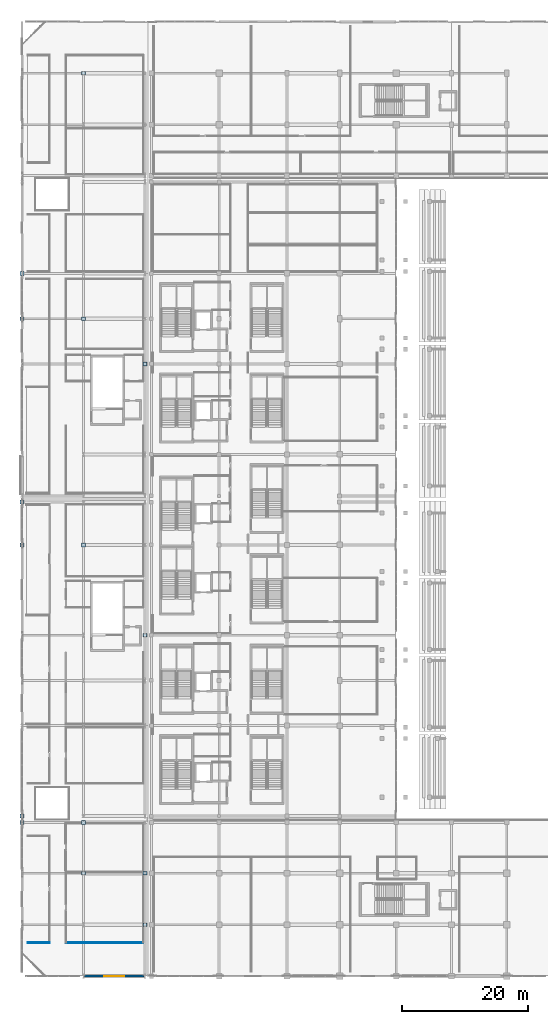
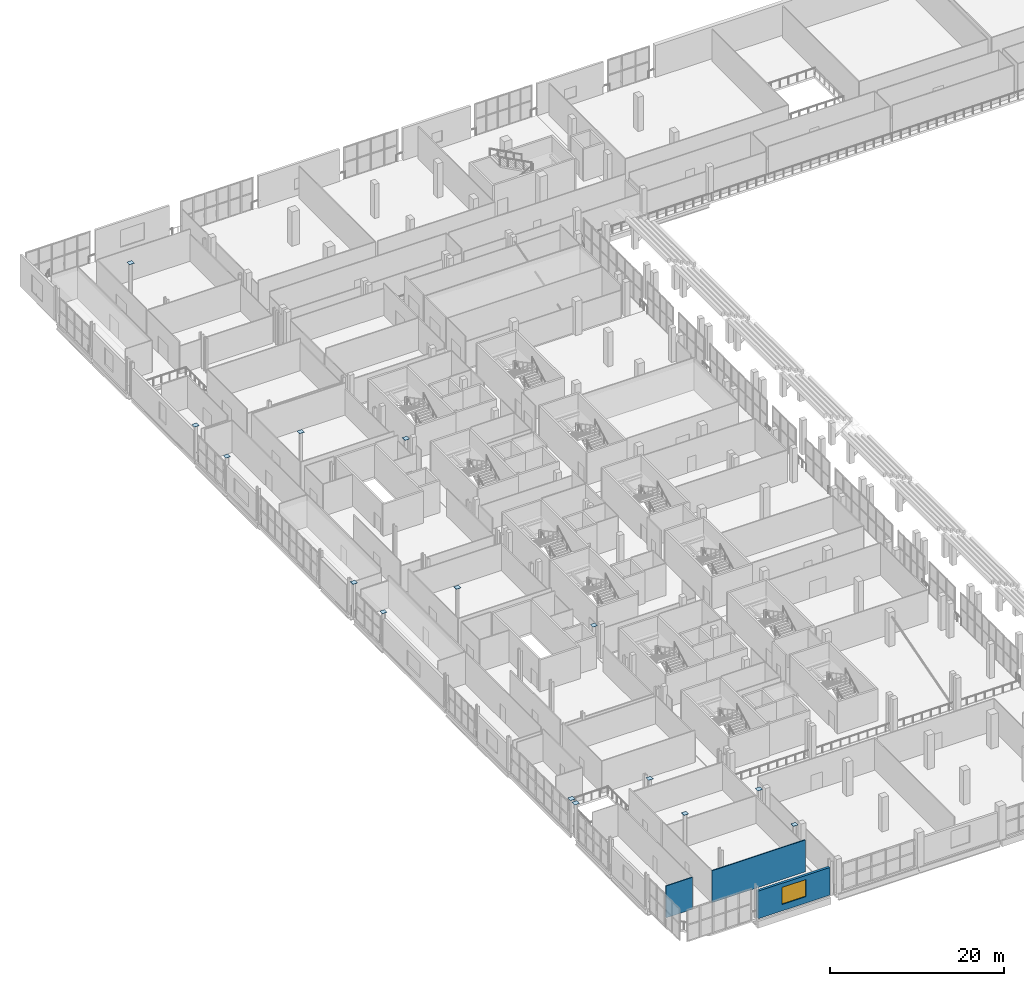
# One storey, part 86 of 142: 15 plates, 3 walls, 1 window, 1 opening.
"""IFC4 building model written with IfcOpenShell, lengths in metres."""

from ifc_helpers import new_model, si_unit, direction, frame, frame_2d, origin, origin_2d, place, context, subcontext, project, spatial, rectangle, extrude, material, layer, layer_set, type_object, element, fill, save


model = new_model("IFC4")

# Units and contexts
model_context = context("Model", 3, precision=1e-05, world=origin(), true_north=direction((0.0, 1.0)))
body_context = subcontext(model_context, "Body", "Model", "MODEL_VIEW")
ifc_project = project(units=[si_unit("LENGTHUNIT", "METRE"), si_unit("AREAUNIT", "SQUARE_METRE"), si_unit("VOLUMEUNIT", "CUBIC_METRE"), si_unit("PLANEANGLEUNIT", "RADIAN"), si_unit("MASSUNIT", "GRAM", prefix="KILO")], contexts=[model_context])

# Site, building, storey
site_placement = place(None, origin())
site = spatial("IfcSite", under=ifc_project, at=site_placement, CompositionType="ELEMENT")
building_placement = place(site_placement, origin())
building = spatial("IfcBuilding", under=site, at=building_placement, Name="Koshinbarg Plaza Stadium", CompositionType="ELEMENT")
storey_placement = place(building_placement, frame((0.0, 0.0, 10.199951171875)))
storey = spatial("IfcBuildingStorey", under=building, at=storey_placement, Name="L02", CompositionType="ELEMENT", Elevation=10.199951171875)

# Plates
ifc_material_1 = material(Name="Steel S355", Category="steel")
ifc_layer_1 = layer(ifc_material_1, 0.02001953125)
ifc_layer_set_1 = layer_set([ifc_layer_1], Name="Steel S355")
plate_type = type_object("IfcPlateType", Name="PLT-GUS-04", PredefinedType="USERDEFINED", material=ifc_layer_set_1)
for number, where, z_axis, x_axis, name in (
    (1, (4.0, 24.5, 4.800048828125), (0.0, 0.0, 1.0), (1.0, 0.0, 0.0), "Hollow column sealed end cap plate L02 2/D"),
    (2, (4.0, 25.5, 4.800048828125), (0.0, 0.0, 1.0), (1.0, 0.0, 0.0), "Hollow column sealed end cap plate L02 2/E"),
    (3, (4.0, 68.699951171875, 4.800048828125), (0.0, 0.0, 1.0), (1.0, 0.0, 0.0), "Hollow column sealed end cap plate L02 2/J"),
    (4, (4.0, 75.5, 4.800048828125), (0.0, 0.0, 1.0), (1.0, 0.0, 0.0), "Hollow column sealed end cap plate L02 2/K"),
    (5, (4.0, 104.699951171875, 4.800048828125), (0.0, 0.0, 1.0), (1.0, 0.0, 0.0), "Hollow column sealed end cap plate L02 2/P"),
    (6, (4.0, 111.89990234375, 4.800048828125), (0.0, 0.0, 1.0), (1.0, 0.0, 0.0), "Hollow column sealed end cap plate L02 2/Q"),
    (7, (13.800048828125, 16.39990234375, 4.800048828125), (0.0, 0.0, 1.0), (1.0, 0.0, 0.0), "Hollow column sealed end cap plate L02 3/C"),
    (8, (13.800048828125, 24.5, 4.800048828125), (0.0, 0.0, 1.0), (1.0, 0.0, 0.0), "Hollow column sealed end cap plate L02 3/D"),
    (9, (13.800048828125, 68.699951171875, 4.800048828125), (0.0, 0.0, 1.0), (1.0, 0.0, 0.0), "Hollow column sealed end cap plate L02 3/J"),
    (10, (13.800048828125, 104.699951171875, 4.800048828125), (0.0, 0.0, 1.0), (1.0, 0.0, 0.0), "Hollow column sealed end cap plate L02 3/P"),
    (11, (13.800048828125, 143.800048828125, 4.800048828125), (0.0, 0.0, 1.0), (1.0, 0.0, 0.0), "Hollow column sealed end cap plate L02 3/U"),
    (12, (23.60009765625, 8.199951171875, 4.800048828125), (0.0, 0.0, 1.0), (1.0, 0.0, 0.0), "Hollow column sealed end cap plate L02 4/B"),
    (13, (23.60009765625, 16.39990234375, 4.800048828125), (0.0, 0.0, 1.0), (1.0, 0.0, 0.0), "Hollow column sealed end cap plate L02 4/C"),
    (14, (23.60009765625, 54.300048828125, 4.800048828125), (0.0, 0.0, 1.0), (1.0, 0.0, 0.0), "Hollow column sealed end cap plate L02 4/H"),
    (15, (23.60009765625, 97.5, 4.800048828125), (0.0, 0.0, 1.0), (1.0, 0.0, 0.0), "Hollow column sealed end cap plate L02 4/N"),
):
    element("IfcPlate", number, at=place(storey_placement, frame(where, z_axis=z_axis, x_axis=x_axis)), inside=storey, type_object=plate_type, Name=name, ObjectType="GUSSET_PLATE", PredefinedType="USERDEFINED", context=body_context, shape_type="SweptSolid", body=[
        extrude(rectangle(XDim=0.6201171875, YDim=0.6201171875, at=origin_2d()), origin(), (0.0, 0.0, 1.0), 0.02001953125),
    ])

# Wall, opening, window
ifc_material_2 = material(Name="Ultramarine-blue pigmented mineral plaster facade wall", Category="masonry")
ifc_layer_2 = layer(ifc_material_2, 0.320068359375)
ifc_layer_set_2 = layer_set([ifc_layer_2], Name="Ultramarine-blue pigmented mineral plaster facade wall")
wall_type_1 = type_object("IfcWallType", Name="WL-EXT-320", PredefinedType="SOLIDWALL", material=ifc_layer_set_2)
wall_1_placement = place(storey_placement, frame((23.455078125, 0.0, 0.0), z_axis=(0.0, 0.0, 1.0), x_axis=(-1.0, 0.0, 0.0)))
wall_1 = element("IfcWall", 16, at=wall_1_placement, inside=storey, type_object=wall_type_1, Name="L02 exterior envelope wall EWL-L02-0142", PredefinedType="SOLIDWALL", context=body_context, shape_type="SweptSolid", body=[
    extrude(rectangle(XDim=9.510009765625, YDim=0.320068359375, at=frame_2d((4.7548828125, 0.0))), origin(), (0.0, 0.0, 1.0), 3.880126953125),
])
opening_placement = place(wall_1_placement, frame((3.155029296875, 0.0, 0.89990234375)))
opening = element("IfcOpeningElement", 17, at=opening_placement, cuts=wall_1, Name="Opening WN22", PredefinedType="OPENING", context=body_context, shape_type="SweptSolid", body=[
    extrude(rectangle(XDim=3.199951171875, YDim=2.39990234375, at=frame_2d((1.60009765625, 1.199951171875))), frame((0.0, 0.169921875, 0.0), z_axis=(0.0, -1.0, 0.0), x_axis=(1.0, 0.0, 0.0)), (0.0, 0.0, 1.0), 0.340087890625),
])
ifc_material_3 = material(Name="Solar-control double glazing in thermally broken aluminium frame", Category="aluminium")
window_type = type_object("IfcWindowType", Name="WN-FAC-22", PartitioningType="DOUBLE_PANEL_VERTICAL", PredefinedType="WINDOW", material=ifc_material_3)
window_placement = place(opening_placement, origin())
window = element("IfcWindow", 18, at=window_placement, inside=storey, type_object=window_type, Name="L02 facade window 0077", OverallHeight=2.39990234375, OverallWidth=3.199951171875, PartitioningType="SINGLE_PANEL", PredefinedType="WINDOW", context=body_context, shape_type="SweptSolid", body=[
    extrude(rectangle(XDim=3.199951171875, YDim=2.39990234375, at=frame_2d((1.60009765625, 1.199951171875))), frame((0.0, 0.030029296875, 0.0), z_axis=(0.0, -1.0, 0.0), x_axis=(1.0, 0.0, 0.0)), (0.0, 0.0, 1.0), 0.06005859375),
])
fill(opening, window)

# Walls
ifc_material_4 = material(Name="Gypsum board metal-stud acoustic partition")
ifc_layer_3 = layer(ifc_material_4, 0.1201171875)
ifc_layer_set_3 = layer_set([ifc_layer_3], Name="Gypsum board metal-stud acoustic partition")
wall_type_2 = type_object("IfcWallType", Name="WL-PART-120", PredefinedType="PARTITIONING", material=ifc_layer_set_3)
wall_2_placement = place(storey_placement, frame((4.89990234375, 5.35009765625, 0.0), z_axis=(0.0, 0.0, 1.0), x_axis=(1.0, 0.0, 0.0)))
element("IfcWall", 19, at=wall_2_placement, inside=storey, type_object=wall_type_2, Name="L02 interior partition L02-153-south IWL-L02-1884", PredefinedType="PARTITIONING", context=body_context, shape_type="SweptSolid", body=[
    extrude(rectangle(XDim=3.5, YDim=0.1201171875, at=frame_2d((1.75, 0.0))), origin(), (0.0, 0.0, 1.0), 4.47998046875),
])
wall_3_placement = place(storey_placement, frame((11.0, 5.35009765625, 0.0), z_axis=(0.0, 0.0, 1.0), x_axis=(1.0, 0.0, 0.0)))
element("IfcWall", 20, at=wall_3_placement, inside=storey, type_object=wall_type_2, Name="L02 interior partition L02-155-south IWL-L02-1890", PredefinedType="PARTITIONING", context=body_context, shape_type="SweptSolid", body=[
    extrude(rectangle(XDim=12.35498046875, YDim=0.1201171875, at=frame_2d((6.177490234375, 0.0))), origin(), (0.0, 0.0, 1.0), 4.47998046875),
])

save(model, "model.ifc")
